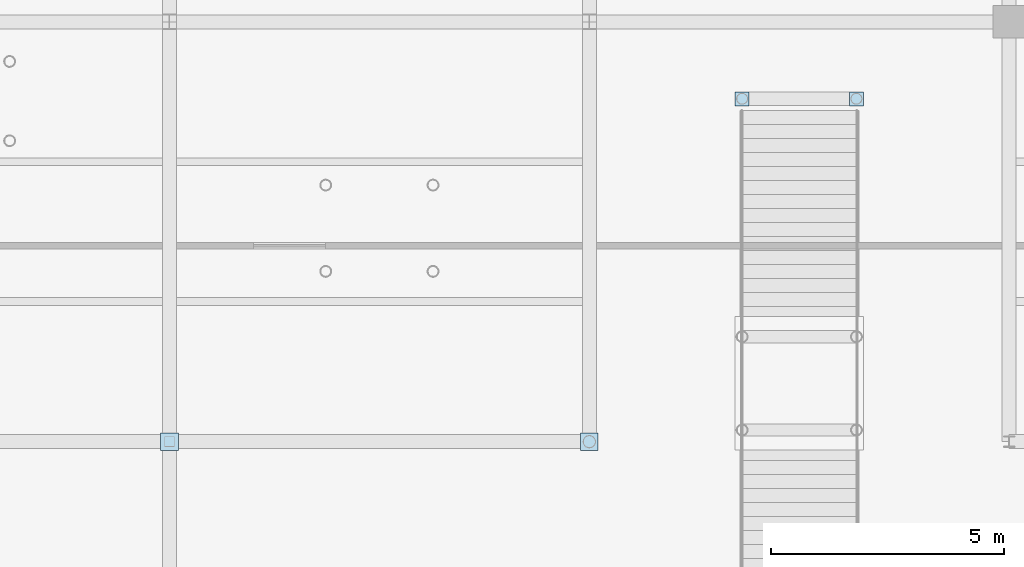
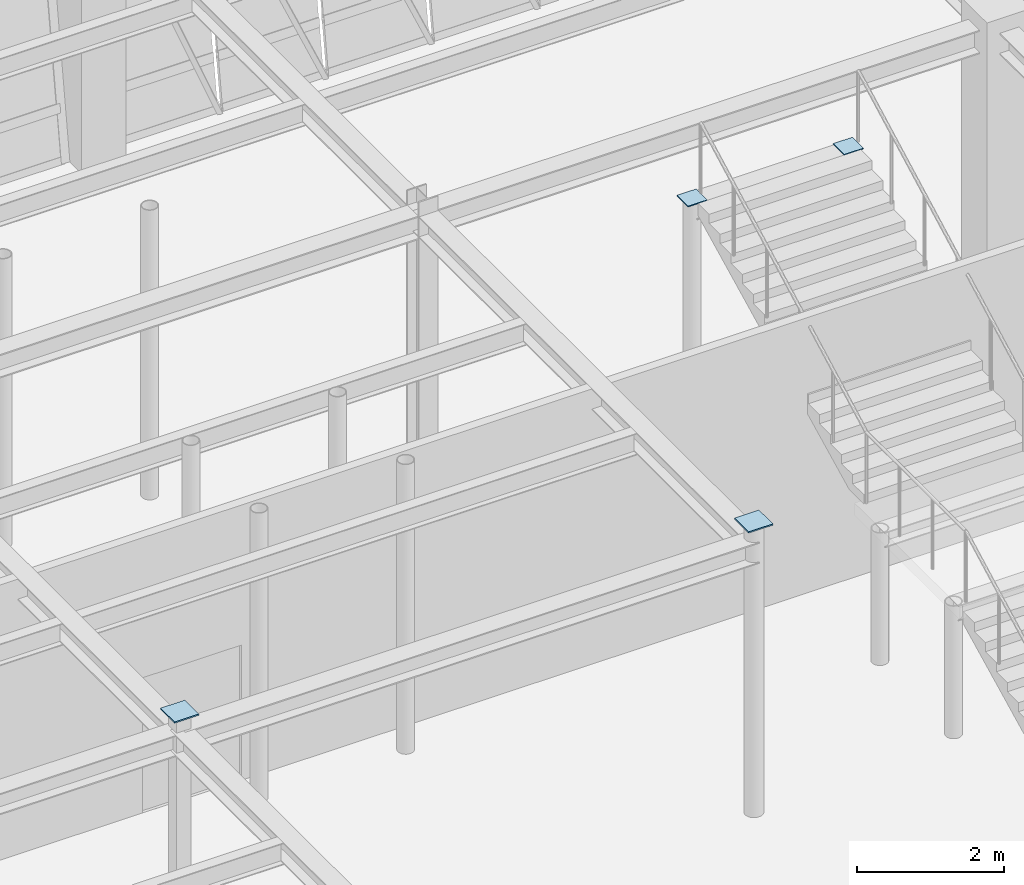
# One storey, part 77 of 92: 4 plates.
"""IFC4 building model written with IfcOpenShell, lengths in metres."""

import ifcopenshell
import ifcopenshell.guid

model = None  # the IFC model being written
_history = None  # IfcOwnerHistory: only IFC2X3 demands one
_inside = {}  # id of a spatial element -> (the spatial element, [elements in it])
_under = {}  # id of a project, library or spatial element -> (it, [spatial elements below it])
_declared = {}  # id of a project -> (the project, [libraries it declares])
_typed = {}  # id of a type object -> (the type object, [elements of that type])
_made_of = {}  # id of a material, layer set ... -> (it, [elements and type objects made of it])


def new_model(schema):
    """Start an empty IFC model of exactly this schema.

    Asked for "IFC4X3", IfcOpenShell would pick the latest addendum, in which some entities
    have other attributes; the version numbers below select the first issue.
    IFC2X3 requires an IfcOwnerHistory on every rooted entity: one is made here for all.
    """
    global model, _history
    if schema == "IFC4X3":
        model = ifcopenshell.file(schema_version=(4, 3, 0, 0))
    else:
        model = ifcopenshell.file(schema=schema)
    _inside.clear()
    _under.clear()
    _declared.clear()
    _typed.clear()
    _made_of.clear()
    _history = None
    if model.schema == "IFC2X3":
        org = make("IfcOrganization", Name="unknown")
        user = make(
            "IfcPersonAndOrganization",
            ThePerson=make("IfcPerson", FamilyName="unknown"),
            TheOrganization=org,
        )
        app = make(
            "IfcApplication",
            ApplicationDeveloper=org,
            Version="unknown",
            ApplicationFullName="unknown",
            ApplicationIdentifier="unknown",
        )
        _history = make(
            "IfcOwnerHistory",
            OwningUser=user,
            OwningApplication=app,
            ChangeAction="ADDED",
            CreationDate=0,
        )
    return model


def make(cls, **values):
    """One entity of the class cls with the attributes given. An attribute that is None is left unset."""
    return model.create_entity(
        cls, **{name: value for name, value in values.items() if value is not None}
    )


def rooted(cls, **values):
    """An entity with a GlobalId (a new one), such as an element, a storey or a relation."""
    return make(cls, GlobalId=ifcopenshell.guid.new(), OwnerHistory=_history, **values)


def si_unit(unit_type, name, prefix=None):
    """IfcSIUnit, for example si_unit("LENGTHUNIT", "METRE", prefix="MILLI")."""
    return make("IfcSIUnit", UnitType=unit_type, Prefix=prefix, Name=name)


def assignment(units):
    """IfcUnitAssignment: the units of a project."""
    return None if units is None else make("IfcUnitAssignment", Units=units)


def point(xyz):
    """IfcCartesianPoint."""
    return None if xyz is None else make("IfcCartesianPoint", Coordinates=xyz)


def direction(xyz):
    """IfcDirection."""
    return None if xyz is None else make("IfcDirection", DirectionRatios=xyz)


def frame(location, z_axis=None, x_axis=None):
    """IfcAxis2Placement3D, a coordinate frame: its origin and axes. An axis left out is left unset."""
    return make(
        "IfcAxis2Placement3D",
        Location=point(location),
        Axis=direction(z_axis),
        RefDirection=direction(x_axis),
    )


def frame_2d(location, x_axis=None):
    """IfcAxis2Placement2D, a coordinate frame in the plane: its origin and x axis."""
    return make(
        "IfcAxis2Placement2D", Location=point(location), RefDirection=direction(x_axis)
    )


def origin():
    """The frame at (0, 0, 0) with its axes left unset."""
    return frame((0.0, 0.0, 0.0))


def origin_2d():
    """The frame at (0, 0) in the plane with its x axis left unset."""
    return frame_2d((0.0, 0.0))


def place(relative_to, where):
    """IfcLocalPlacement: puts the frame where relative to a parent placement (None: the world)."""
    return make(
        "IfcLocalPlacement", PlacementRelTo=relative_to, RelativePlacement=where
    )


def context(
    kind, dimensions, precision=None, world=None, true_north=None, identifier=None
):
    """IfcGeometricRepresentationContext, for example the 3D "Model" context."""
    return make(
        "IfcGeometricRepresentationContext",
        ContextIdentifier=identifier,
        ContextType=kind,
        CoordinateSpaceDimension=dimensions,
        Precision=precision,
        WorldCoordinateSystem=world,
        TrueNorth=true_north,
    )


def subcontext(parent, identifier, kind, view, scale=None):
    """IfcGeometricRepresentationSubContext, for example "Body" below "Model"."""
    return make(
        "IfcGeometricRepresentationSubContext",
        ContextIdentifier=identifier,
        ContextType=kind,
        ParentContext=parent,
        TargetScale=scale,
        TargetView=view,
    )


def project(units=None, contexts=None):
    """IfcProject with its units and contexts."""
    return rooted(
        "IfcProject",
        Name="project",
        RepresentationContexts=contexts,
        UnitsInContext=assignment(units),
    )


def spatial(cls, under=None, at=None, **own):
    """A site, building, storey or space (cls), placed at a placement, below another one or the project."""
    s = rooted(cls, ObjectPlacement=at, **own)
    if under is not None:
        _under.setdefault(under.id(), (under, []))[1].append(s)
    return s


def profile(cls, at=None, kind="AREA", **sizes):
    """A parametric profile (cls). Its sizes go by their IFC names, for example OverallWidth=200.0."""
    return make(cls, ProfileType=kind, Position=at, **sizes)


def rectangle(**sizes):
    """IfcRectangleProfileDef."""
    return profile("IfcRectangleProfileDef", **sizes)


def extrude(swept, where, along, depth):
    """IfcExtrudedAreaSolid: the profile swept, set in the frame where, extruded along a direction by depth."""
    return make(
        "IfcExtrudedAreaSolid",
        SweptArea=swept,
        Position=where,
        ExtrudedDirection=direction(along),
        Depth=depth,
    )


def shape(context_of_items, identifier, shape_type, items):
    """IfcShapeRepresentation: the items that make up one representation, for example the "Body"."""
    return make(
        "IfcShapeRepresentation",
        ContextOfItems=context_of_items,
        RepresentationIdentifier=identifier,
        RepresentationType=shape_type,
        Items=items,
    )


def material(Name=None, Category=None):
    """IfcMaterial."""
    return make("IfcMaterial", Name=Name, Category=Category)


def layer(
    of_material, thickness, ventilated=None, Name=None, Category=None, Priority=None
):
    """IfcMaterialLayer: one layer of a wall or slab, of a material (None: an air gap)."""
    return make(
        "IfcMaterialLayer",
        Material=of_material,
        LayerThickness=thickness,
        IsVentilated=ventilated,
        Name=Name,
        Category=Category,
        Priority=Priority,
    )


def layer_set(layers, Name=None):
    """IfcMaterialLayerSet."""
    return make("IfcMaterialLayerSet", MaterialLayers=layers, LayerSetName=Name)


def made_of(thing, what):
    """Note that an element or type object is made of a material, layer set ...; save() writes the relation."""
    if what is not None:
        _made_of.setdefault(what.id(), (what, []))[1].append(thing)
    return thing


def type_object(cls, material=None, **own):
    """A type object (cls), such as IfcWallType, which elements share."""
    return made_of(rooted(cls, **own), material)


def element(
    cls,
    number,
    at=None,
    inside=None,
    cuts=None,
    type_object=None,
    material=None,
    context=None,
    identifier="Body",
    shape_type=None,
    held_by="IfcProductDefinitionShape",
    body=None,
    shapes=None,
    **own,
):
    """One element of the class cls, such as IfcWall. Its Tag is "e" and its number.

    at: its placement. inside: the storey or other place that contains it. cuts: it is an
    opening in that element (IfcRelVoidsElement). A single representation is given by context,
    identifier, shape_type and body (its items); several are given by shapes. held_by: the class
    of the entity that holds the representations. save() writes the other relations.
    """
    e = rooted(cls, Tag="e%d" % number, ObjectPlacement=at, **own)
    if body is not None:
        shapes = [shape(context, identifier, shape_type, body)]
    if shapes is not None:
        e.Representation = make(held_by, Representations=shapes)
    if inside is not None:
        _inside.setdefault(inside.id(), (inside, []))[1].append(e)
    if cuts is not None:
        rooted(
            "IfcRelVoidsElement", RelatingBuildingElement=cuts, RelatedOpeningElement=e
        )
    if type_object is not None:
        _typed.setdefault(type_object.id(), (type_object, []))[1].append(e)
    return made_of(e, material)


def aggregate(whole, parts):
    """IfcRelAggregates: a whole, such as a stair, and the parts it consists of."""
    return rooted("IfcRelAggregates", RelatingObject=whole, RelatedObjects=parts)


def save(model, path):
    """Write the relations noted so far, then the file.

    IfcRelAggregates (storeys below a building ...), IfcRelContainedInSpatialStructure (elements
    in a storey), IfcRelDefinesByType, IfcRelAssociatesMaterial and IfcRelDeclares: one each for
    every whole, place, type object, material and project.
    """
    for whole, parts in _under.values():
        aggregate(whole, parts)
    for where, things in _inside.values():
        rooted(
            "IfcRelContainedInSpatialStructure",
            RelatedElements=things,
            RelatingStructure=where,
        )
    for kind, things in _typed.values():
        rooted("IfcRelDefinesByType", RelatedObjects=things, RelatingType=kind)
    for what, things in _made_of.values():
        rooted("IfcRelAssociatesMaterial", RelatedObjects=things, RelatingMaterial=what)
    for by, libraries in _declared.values():
        rooted("IfcRelDeclares", RelatingContext=by, RelatedDefinitions=libraries)
    model.write(path)


model = new_model("IFC4")

# Units and contexts
model_context = context("Model", 3, precision=1e-05, world=origin(), true_north=direction((0.0, 1.0)))
body_context = subcontext(model_context, "Body", "Model", "MODEL_VIEW")
ifc_project = project(units=[si_unit("LENGTHUNIT", "METRE"), si_unit("AREAUNIT", "SQUARE_METRE"), si_unit("VOLUMEUNIT", "CUBIC_METRE"), si_unit("PLANEANGLEUNIT", "RADIAN"), si_unit("MASSUNIT", "GRAM", prefix="KILO")], contexts=[model_context])

# Site, building, storey
site_placement = place(None, origin())
site = spatial("IfcSite", under=ifc_project, at=site_placement, CompositionType="ELEMENT")
building_placement = place(site_placement, origin())
building = spatial("IfcBuilding", under=site, at=building_placement, Name="Lykobir Media Centre", CompositionType="ELEMENT")
storey_placement = place(building_placement, frame((0.0, 0.0, 5.39990234375)))
storey = spatial("IfcBuildingStorey", under=building, at=storey_placement, Name="L01", CompositionType="ELEMENT", Elevation=5.39990234375)

# Plates
ifc_material = material(Name="Steel S355", Category="steel")
ifc_layer_1 = layer(ifc_material, 0.01611328125, Name="Steel S355")
ifc_layer_set_1 = layer_set([ifc_layer_1], Name="Steel S355")
plate_type_1 = type_object("IfcPlateType", Name="CP-280", PredefinedType="SHEET", material=ifc_layer_set_1)
for number, where, z_axis, x_axis, name in (
    (1, (66.27490234375, 97.35009765625, 4.56005859375), (0.0, 0.0, 1.0), (1.0, 0.0, 0.0), "Valley post cap 3"),
    (2, (68.72509765625, 97.35009765625, 4.56005859375), (0.0, 0.0, 1.0), (1.0, 0.0, 0.0), "Valley post cap 4"),
):
    element("IfcPlate", number, at=place(storey_placement, frame(where, z_axis=z_axis, x_axis=x_axis)), inside=storey, type_object=plate_type_1, Name=name, PredefinedType="SHEET", context=body_context, shape_type="SweptSolid", body=[
        extrude(rectangle(XDim=0.300048828125, YDim=0.300048828125, at=origin_2d()), origin(), (0.0, 0.0, 1.0), 0.01611328125),
    ])
ifc_layer_2 = layer(ifc_material, 0.02197265625, Name="Steel S355")
ifc_layer_set_2 = layer_set([ifc_layer_2], Name="Steel S355")
plate_type_2 = type_object("IfcPlateType", Name="CP-360", PredefinedType="SHEET", material=ifc_layer_set_2)
for number, where, z_axis, x_axis, name in (
    (3, (54.0, 90.0, 4.800048828125), (0.0, 0.0, 1.0), (1.0, 0.0, 0.0), "Structural plate PLT-L01-0540-0900-0102"),
    (4, (63.0, 90.0, 4.800048828125), (0.0, 0.0, 1.0), (1.0, 0.0, 0.0), "Structural plate PLT-L01-0630-0900-0102"),
):
    element("IfcPlate", number, at=place(storey_placement, frame(where, z_axis=z_axis, x_axis=x_axis)), inside=storey, type_object=plate_type_2, Name=name, PredefinedType="SHEET", context=body_context, shape_type="SweptSolid", body=[
        extrude(rectangle(XDim=0.3798828125, YDim=0.3798828125, at=origin_2d()), origin(), (0.0, 0.0, 1.0), 0.02197265625),
    ])

save(model, "model.ifc")
